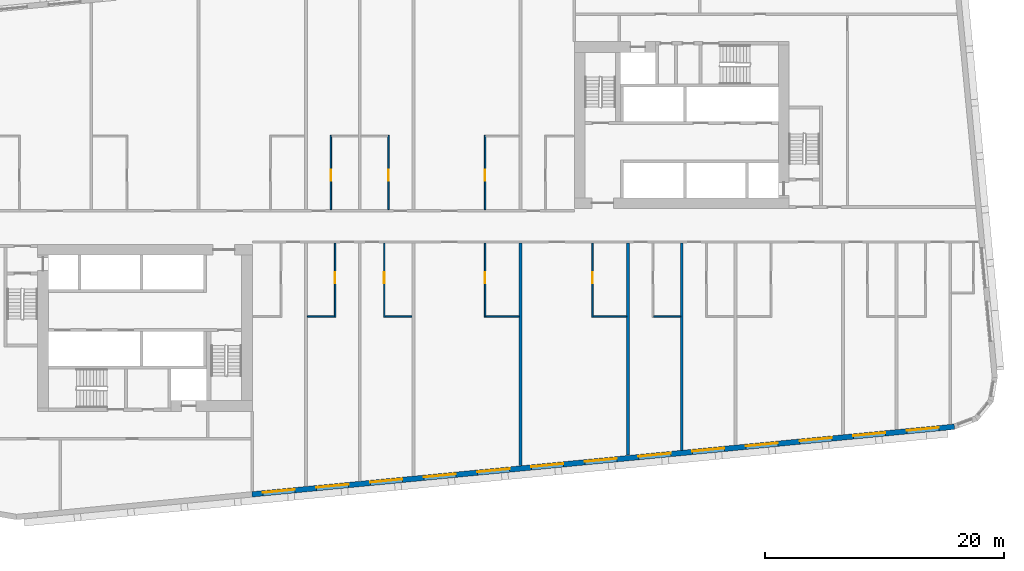
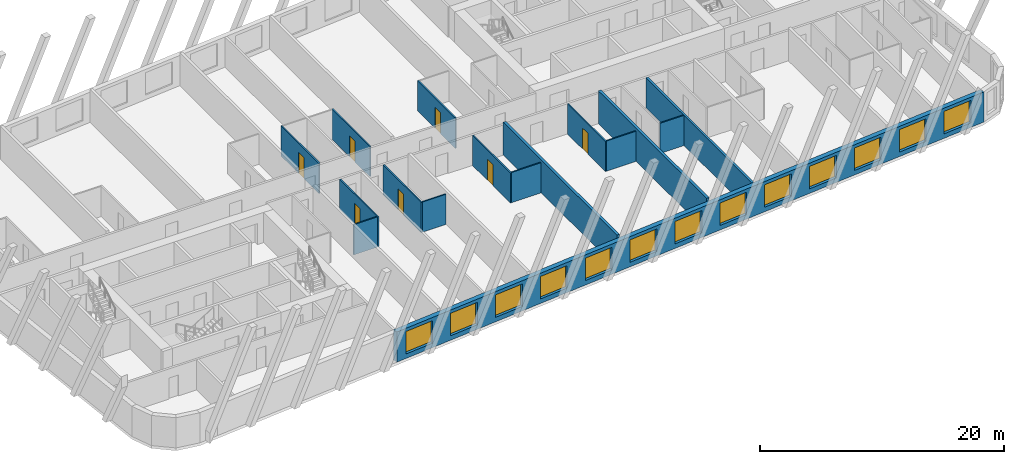
# One storey, part 4 of 13: 16 walls, 13 windows, 7 doors, 20 openings.
"""IFC4 building model written with IfcOpenShell, lengths in metres."""

from ifc_helpers import new_model, si_unit, direction, frame, frame_2d, origin, place, context, subcontext, project, spatial, rectangle, extrude, material, layer, layer_set, type_object, element, fill, save


model = new_model("IFC4")

# Units and contexts
model_context = context("Model", 3, precision=1e-05, world=origin(), true_north=direction((0.0, 1.0)))
body_context = subcontext(model_context, "Body", "Model", "MODEL_VIEW")
ifc_project = project(units=[si_unit("LENGTHUNIT", "METRE"), si_unit("AREAUNIT", "SQUARE_METRE"), si_unit("VOLUMEUNIT", "CUBIC_METRE"), si_unit("PLANEANGLEUNIT", "RADIAN"), si_unit("MASSUNIT", "GRAM", prefix="KILO")], contexts=[model_context])

# Site, building, storey
site_placement = place(None, origin())
site = spatial("IfcSite", under=ifc_project, at=site_placement, CompositionType="ELEMENT")
building_placement = place(site_placement, origin())
building = spatial("IfcBuilding", under=site, at=building_placement, Name="Kajstack Hotel Tower", CompositionType="ELEMENT")
storey_placement = place(building_placement, frame((0.0, 0.0, 140.5)))
storey = spatial("IfcBuildingStorey", under=building, at=storey_placement, Name="L32", CompositionType="ELEMENT", Elevation=140.5)

# Wall
ifc_material_1 = material(Name="Twin-frame gypsum board on steel studs, mineral wool", Category="steel")
ifc_layer_1 = layer(ifc_material_1, 0.199951171875)
ifc_layer_set_1 = layer_set([ifc_layer_1], Name="Demising wall 200")
wall_type_1 = type_object("IfcWallType", Name="Demising wall 200", PredefinedType="PARTITIONING", material=ifc_layer_set_1)
wall_1_placement = place(storey_placement, frame((22.5, -18.76611328125, 0.0), z_axis=(0.0, 0.0, 1.0), x_axis=(0.0, 1.0, 0.0)))
element("IfcWall", 1, at=wall_1_placement, inside=storey, type_object=wall_type_1, Name="G-wall-L32-033", PredefinedType="PARTITIONING", context=body_context, shape_type="SweptSolid", body=[
    extrude(rectangle(XDim=17.3662109375, YDim=0.199951171875, at=frame_2d((8.68310546875, 0.0))), origin(), (0.0, 0.0, 1.0), 3.02001953125),
])

# Wall, openings, windows
ifc_material_2 = material(Name="Terracotta-faced brick masonry", Category="masonry")
ifc_layer_2 = layer(ifc_material_2, 0.449951171875)
ifc_layer_set_2 = layer_set([ifc_layer_2], Name="EW-TERRA")
wall_type_2 = type_object("IfcWallType", Name="EW-TERRA", PredefinedType="SOLIDWALL", material=ifc_layer_set_2)
wall_2_placement = place(storey_placement, frame((-13.521484375, -22.46044921875, 0.0), z_axis=(0.0, 0.0, 1.0), x_axis=(0.995396096335, 0.095846812164, 0.0)))
wall_2 = element("IfcWall", 2, at=wall_2_placement, inside=storey, type_object=wall_type_2, Name="E-wall-L32-04-02", PredefinedType="SOLIDWALL", context=body_context, shape_type="SweptSolid", body=[
    extrude(rectangle(XDim=59.15087890625, YDim=0.449951171875, at=frame_2d((29.575439453125, 0.0))), origin(), (0.0, 0.0, 1.0), 3.02001953125),
])
opening_1_placement = place(wall_2_placement, frame((0.910400390625, 0.0, 0.449951171875)))
opening_1 = element("IfcOpeningElement", 3, at=opening_1_placement, cuts=wall_2, Name="Opening W1", PredefinedType="OPENING", context=body_context, shape_type="SweptSolid", body=[
    extrude(rectangle(XDim=2.699951171875, YDim=2.25, at=frame_2d((1.35009765625, 1.125))), frame((0.0, 0.23486328125, 0.0), z_axis=(0.0, -1.0, 0.0), x_axis=(1.0, 0.0, 0.0)), (0.0, 0.0, 1.0), 0.469970703125),
])
opening_2_placement = place(wall_2_placement, frame((5.43115234375, 0.0, 0.449951171875)))
opening_2 = element("IfcOpeningElement", 4, at=opening_2_placement, cuts=wall_2, Name="Opening W1", PredefinedType="OPENING", context=body_context, shape_type="SweptSolid", body=[
    extrude(rectangle(XDim=2.699951171875, YDim=2.25, at=frame_2d((1.35009765625, 1.125))), frame((0.0, 0.23486328125, 0.0), z_axis=(0.0, -1.0, 0.0), x_axis=(1.0, 0.0, 0.0)), (0.0, 0.0, 1.0), 0.469970703125),
])
opening_3_placement = place(wall_2_placement, frame((9.951904296875, 0.0, 0.449951171875)))
opening_3 = element("IfcOpeningElement", 5, at=opening_3_placement, cuts=wall_2, Name="Opening W1", PredefinedType="OPENING", context=body_context, shape_type="SweptSolid", body=[
    extrude(rectangle(XDim=2.699951171875, YDim=2.25, at=frame_2d((1.35009765625, 1.125))), frame((0.0, 0.23486328125, 0.0), z_axis=(0.0, -1.0, 0.0), x_axis=(1.0, 0.0, 0.0)), (0.0, 0.0, 1.0), 0.469970703125),
])
opening_4_placement = place(wall_2_placement, frame((14.472900390625, 0.0, 0.449951171875)))
opening_4 = element("IfcOpeningElement", 6, at=opening_4_placement, cuts=wall_2, Name="Opening W1", PredefinedType="OPENING", context=body_context, shape_type="SweptSolid", body=[
    extrude(rectangle(XDim=2.699951171875, YDim=2.25, at=frame_2d((1.35009765625, 1.125))), frame((0.0, 0.23486328125, 0.0), z_axis=(0.0, -1.0, 0.0), x_axis=(1.0, 0.0, 0.0)), (0.0, 0.0, 1.0), 0.469970703125),
])
opening_5_placement = place(wall_2_placement, frame((18.99365234375, 0.0, 0.449951171875)))
opening_5 = element("IfcOpeningElement", 7, at=opening_5_placement, cuts=wall_2, Name="Opening W1", PredefinedType="OPENING", context=body_context, shape_type="SweptSolid", body=[
    extrude(rectangle(XDim=2.699951171875, YDim=2.25, at=frame_2d((1.35009765625, 1.125))), frame((0.0, 0.23486328125, 0.0), z_axis=(0.0, -1.0, 0.0), x_axis=(1.0, 0.0, 0.0)), (0.0, 0.0, 1.0), 0.469970703125),
])
opening_6_placement = place(wall_2_placement, frame((23.514404296875, 0.0, 0.449951171875)))
opening_6 = element("IfcOpeningElement", 8, at=opening_6_placement, cuts=wall_2, Name="Opening W1", PredefinedType="OPENING", context=body_context, shape_type="SweptSolid", body=[
    extrude(rectangle(XDim=2.699951171875, YDim=2.25, at=frame_2d((1.35009765625, 1.125))), frame((0.0, 0.23486328125, 0.0), z_axis=(0.0, -1.0, 0.0), x_axis=(1.0, 0.0, 0.0)), (0.0, 0.0, 1.0), 0.469970703125),
])
opening_7_placement = place(wall_2_placement, frame((28.035400390625, 0.0, 0.449951171875)))
opening_7 = element("IfcOpeningElement", 9, at=opening_7_placement, cuts=wall_2, Name="Opening W1", PredefinedType="OPENING", context=body_context, shape_type="SweptSolid", body=[
    extrude(rectangle(XDim=2.699951171875, YDim=2.25, at=frame_2d((1.35009765625, 1.125))), frame((0.0, 0.23486328125, 0.0), z_axis=(0.0, -1.0, 0.0), x_axis=(1.0, 0.0, 0.0)), (0.0, 0.0, 1.0), 0.469970703125),
])
opening_8_placement = place(wall_2_placement, frame((32.55615234375, 0.0, 0.449951171875)))
opening_8 = element("IfcOpeningElement", 10, at=opening_8_placement, cuts=wall_2, Name="Opening W1", PredefinedType="OPENING", context=body_context, shape_type="SweptSolid", body=[
    extrude(rectangle(XDim=2.699951171875, YDim=2.25, at=frame_2d((1.35009765625, 1.125))), frame((0.0, 0.23486328125, 0.0), z_axis=(0.0, -1.0, 0.0), x_axis=(1.0, 0.0, 0.0)), (0.0, 0.0, 1.0), 0.469970703125),
])
opening_9_placement = place(wall_2_placement, frame((37.076904296875, 0.0, 0.449951171875)))
opening_9 = element("IfcOpeningElement", 11, at=opening_9_placement, cuts=wall_2, Name="Opening W1", PredefinedType="OPENING", context=body_context, shape_type="SweptSolid", body=[
    extrude(rectangle(XDim=2.699951171875, YDim=2.25, at=frame_2d((1.35009765625, 1.125))), frame((0.0, 0.23486328125, 0.0), z_axis=(0.0, -1.0, 0.0), x_axis=(1.0, 0.0, 0.0)), (0.0, 0.0, 1.0), 0.469970703125),
])
opening_10_placement = place(wall_2_placement, frame((41.59765625, 0.0, 0.449951171875)))
opening_10 = element("IfcOpeningElement", 12, at=opening_10_placement, cuts=wall_2, Name="Opening W1", PredefinedType="OPENING", context=body_context, shape_type="SweptSolid", body=[
    extrude(rectangle(XDim=2.699951171875, YDim=2.25, at=frame_2d((1.35009765625, 1.125))), frame((0.0, 0.23486328125, 0.0), z_axis=(0.0, -1.0, 0.0), x_axis=(1.0, 0.0, 0.0)), (0.0, 0.0, 1.0), 0.469970703125),
])
opening_11_placement = place(wall_2_placement, frame((46.118408203125, 0.0, 0.449951171875)))
opening_11 = element("IfcOpeningElement", 13, at=opening_11_placement, cuts=wall_2, Name="Opening W1", PredefinedType="OPENING", context=body_context, shape_type="SweptSolid", body=[
    extrude(rectangle(XDim=2.699951171875, YDim=2.25, at=frame_2d((1.35009765625, 1.125))), frame((0.0, 0.23486328125, 0.0), z_axis=(0.0, -1.0, 0.0), x_axis=(1.0, 0.0, 0.0)), (0.0, 0.0, 1.0), 0.469970703125),
])
opening_12_placement = place(wall_2_placement, frame((50.639404296875, 0.0, 0.449951171875)))
opening_12 = element("IfcOpeningElement", 14, at=opening_12_placement, cuts=wall_2, Name="Opening W1", PredefinedType="OPENING", context=body_context, shape_type="SweptSolid", body=[
    extrude(rectangle(XDim=2.699951171875, YDim=2.25, at=frame_2d((1.35009765625, 1.125))), frame((0.0, 0.23486328125, 0.0), z_axis=(0.0, -1.0, 0.0), x_axis=(1.0, 0.0, 0.0)), (0.0, 0.0, 1.0), 0.469970703125),
])
opening_13_placement = place(wall_2_placement, frame((55.149658203125, 0.0, 0.449951171875)))
opening_13 = element("IfcOpeningElement", 15, at=opening_13_placement, cuts=wall_2, Name="Opening W1", PredefinedType="OPENING", context=body_context, shape_type="SweptSolid", body=[
    extrude(rectangle(XDim=2.699951171875, YDim=2.25, at=frame_2d((1.35009765625, 1.125))), frame((0.0, 0.23486328125, 0.0), z_axis=(0.0, -1.0, 0.0), x_axis=(1.0, 0.0, 0.0)), (0.0, 0.0, 1.0), 0.469970703125),
])
ifc_material_3 = material(Name="Timber-aluminium window, triple glazed", Category="wood")
window_type = type_object("IfcWindowType", Name="WG1", PartitioningType="SINGLE_PANEL", PredefinedType="WINDOW", material=ifc_material_3)
window_1_placement = place(opening_1_placement, origin())
window_1 = element("IfcWindow", 16, at=window_1_placement, inside=storey, type_object=window_type, Name="Window W1 L32-04", OverallHeight=2.25, OverallWidth=2.699951171875, PartitioningType="SINGLE_PANEL", PredefinedType="WINDOW", context=body_context, shape_type="SweptSolid", body=[
    extrude(rectangle(XDim=2.699951171875, YDim=2.25, at=frame_2d((1.35009765625, 1.125))), frame((0.0, 0.090087890625, 0.0), z_axis=(0.0, -1.0, 0.0), x_axis=(1.0, 0.0, 0.0)), (0.0, 0.0, 1.0), 0.06005859375),
])
fill(opening_1, window_1)
window_2_placement = place(opening_2_placement, origin())
window_2 = element("IfcWindow", 17, at=window_2_placement, inside=storey, type_object=window_type, Name="Window W1 L32-04", OverallHeight=2.25, OverallWidth=2.699951171875, PartitioningType="SINGLE_PANEL", PredefinedType="WINDOW", context=body_context, shape_type="SweptSolid", body=[
    extrude(rectangle(XDim=2.699951171875, YDim=2.25, at=frame_2d((1.35009765625, 1.125))), frame((0.0, 0.090087890625, 0.0), z_axis=(0.0, -1.0, 0.0), x_axis=(1.0, 0.0, 0.0)), (0.0, 0.0, 1.0), 0.06005859375),
])
fill(opening_2, window_2)
window_3_placement = place(opening_3_placement, origin())
window_3 = element("IfcWindow", 18, at=window_3_placement, inside=storey, type_object=window_type, Name="Window W1 L32-04", OverallHeight=2.25, OverallWidth=2.699951171875, PartitioningType="SINGLE_PANEL", PredefinedType="WINDOW", context=body_context, shape_type="SweptSolid", body=[
    extrude(rectangle(XDim=2.699951171875, YDim=2.25, at=frame_2d((1.35009765625, 1.125))), frame((0.0, 0.090087890625, 0.0), z_axis=(0.0, -1.0, 0.0), x_axis=(1.0, 0.0, 0.0)), (0.0, 0.0, 1.0), 0.06005859375),
])
fill(opening_3, window_3)
window_4_placement = place(opening_4_placement, origin())
window_4 = element("IfcWindow", 19, at=window_4_placement, inside=storey, type_object=window_type, Name="Window W1 L32-04", OverallHeight=2.25, OverallWidth=2.699951171875, PartitioningType="SINGLE_PANEL", PredefinedType="WINDOW", context=body_context, shape_type="SweptSolid", body=[
    extrude(rectangle(XDim=2.699951171875, YDim=2.25, at=frame_2d((1.35009765625, 1.125))), frame((0.0, 0.090087890625, 0.0), z_axis=(0.0, -1.0, 0.0), x_axis=(1.0, 0.0, 0.0)), (0.0, 0.0, 1.0), 0.06005859375),
])
fill(opening_4, window_4)
window_5_placement = place(opening_5_placement, origin())
window_5 = element("IfcWindow", 20, at=window_5_placement, inside=storey, type_object=window_type, Name="Window W1 L32-04", OverallHeight=2.25, OverallWidth=2.699951171875, PartitioningType="SINGLE_PANEL", PredefinedType="WINDOW", context=body_context, shape_type="SweptSolid", body=[
    extrude(rectangle(XDim=2.699951171875, YDim=2.25, at=frame_2d((1.35009765625, 1.125))), frame((0.0, 0.090087890625, 0.0), z_axis=(0.0, -1.0, 0.0), x_axis=(1.0, 0.0, 0.0)), (0.0, 0.0, 1.0), 0.06005859375),
])
fill(opening_5, window_5)
window_6_placement = place(opening_6_placement, origin())
window_6 = element("IfcWindow", 21, at=window_6_placement, inside=storey, type_object=window_type, Name="Window W1 L32-04", OverallHeight=2.25, OverallWidth=2.699951171875, PartitioningType="SINGLE_PANEL", PredefinedType="WINDOW", context=body_context, shape_type="SweptSolid", body=[
    extrude(rectangle(XDim=2.699951171875, YDim=2.25, at=frame_2d((1.35009765625, 1.125))), frame((0.0, 0.090087890625, 0.0), z_axis=(0.0, -1.0, 0.0), x_axis=(1.0, 0.0, 0.0)), (0.0, 0.0, 1.0), 0.06005859375),
])
fill(opening_6, window_6)
window_7_placement = place(opening_7_placement, origin())
window_7 = element("IfcWindow", 22, at=window_7_placement, inside=storey, type_object=window_type, Name="Window W1 L32-04", OverallHeight=2.25, OverallWidth=2.699951171875, PartitioningType="SINGLE_PANEL", PredefinedType="WINDOW", context=body_context, shape_type="SweptSolid", body=[
    extrude(rectangle(XDim=2.699951171875, YDim=2.25, at=frame_2d((1.35009765625, 1.125))), frame((0.0, 0.090087890625, 0.0), z_axis=(0.0, -1.0, 0.0), x_axis=(1.0, 0.0, 0.0)), (0.0, 0.0, 1.0), 0.06005859375),
])
fill(opening_7, window_7)
window_8_placement = place(opening_8_placement, origin())
window_8 = element("IfcWindow", 23, at=window_8_placement, inside=storey, type_object=window_type, Name="Window W1 L32-04", OverallHeight=2.25, OverallWidth=2.699951171875, PartitioningType="SINGLE_PANEL", PredefinedType="WINDOW", context=body_context, shape_type="SweptSolid", body=[
    extrude(rectangle(XDim=2.699951171875, YDim=2.25, at=frame_2d((1.35009765625, 1.125))), frame((0.0, 0.090087890625, 0.0), z_axis=(0.0, -1.0, 0.0), x_axis=(1.0, 0.0, 0.0)), (0.0, 0.0, 1.0), 0.06005859375),
])
fill(opening_8, window_8)
window_9_placement = place(opening_9_placement, origin())
window_9 = element("IfcWindow", 24, at=window_9_placement, inside=storey, type_object=window_type, Name="Window W1 L32-04", OverallHeight=2.25, OverallWidth=2.699951171875, PartitioningType="SINGLE_PANEL", PredefinedType="WINDOW", context=body_context, shape_type="SweptSolid", body=[
    extrude(rectangle(XDim=2.699951171875, YDim=2.25, at=frame_2d((1.35009765625, 1.125))), frame((0.0, 0.090087890625, 0.0), z_axis=(0.0, -1.0, 0.0), x_axis=(1.0, 0.0, 0.0)), (0.0, 0.0, 1.0), 0.06005859375),
])
fill(opening_9, window_9)
window_10_placement = place(opening_10_placement, origin())
window_10 = element("IfcWindow", 25, at=window_10_placement, inside=storey, type_object=window_type, Name="Window W1 L32-04", OverallHeight=2.25, OverallWidth=2.699951171875, PartitioningType="SINGLE_PANEL", PredefinedType="WINDOW", context=body_context, shape_type="SweptSolid", body=[
    extrude(rectangle(XDim=2.699951171875, YDim=2.25, at=frame_2d((1.35009765625, 1.125))), frame((0.0, 0.090087890625, 0.0), z_axis=(0.0, -1.0, 0.0), x_axis=(1.0, 0.0, 0.0)), (0.0, 0.0, 1.0), 0.06005859375),
])
fill(opening_10, window_10)
window_11_placement = place(opening_11_placement, origin())
window_11 = element("IfcWindow", 26, at=window_11_placement, inside=storey, type_object=window_type, Name="Window W1 L32-04", OverallHeight=2.25, OverallWidth=2.699951171875, PartitioningType="SINGLE_PANEL", PredefinedType="WINDOW", context=body_context, shape_type="SweptSolid", body=[
    extrude(rectangle(XDim=2.699951171875, YDim=2.25, at=frame_2d((1.35009765625, 1.125))), frame((0.0, 0.090087890625, 0.0), z_axis=(0.0, -1.0, 0.0), x_axis=(1.0, 0.0, 0.0)), (0.0, 0.0, 1.0), 0.06005859375),
])
fill(opening_11, window_11)
window_12_placement = place(opening_12_placement, origin())
window_12 = element("IfcWindow", 27, at=window_12_placement, inside=storey, type_object=window_type, Name="Window W1 L32-04", OverallHeight=2.25, OverallWidth=2.699951171875, PartitioningType="SINGLE_PANEL", PredefinedType="WINDOW", context=body_context, shape_type="SweptSolid", body=[
    extrude(rectangle(XDim=2.699951171875, YDim=2.25, at=frame_2d((1.35009765625, 1.125))), frame((0.0, 0.090087890625, 0.0), z_axis=(0.0, -1.0, 0.0), x_axis=(1.0, 0.0, 0.0)), (0.0, 0.0, 1.0), 0.06005859375),
])
fill(opening_12, window_12)
window_13_placement = place(opening_13_placement, origin())
window_13 = element("IfcWindow", 28, at=window_13_placement, inside=storey, type_object=window_type, Name="Window W1 L32-04", OverallHeight=2.25, OverallWidth=2.699951171875, PartitioningType="SINGLE_PANEL", PredefinedType="WINDOW", context=body_context, shape_type="SweptSolid", body=[
    extrude(rectangle(XDim=2.699951171875, YDim=2.25, at=frame_2d((1.35009765625, 1.125))), frame((0.0, 0.090087890625, 0.0), z_axis=(0.0, -1.0, 0.0), x_axis=(1.0, 0.0, 0.0)), (0.0, 0.0, 1.0), 0.06005859375),
])
fill(opening_13, window_13)

# Wall, opening, door
ifc_material_4 = material(Name="Gypsum board and tiled backer on steel studs", Category="steel")
ifc_layer_3 = layer(ifc_material_4, 0.125)
ifc_layer_set_3 = layer_set([ifc_layer_3], Name="En-suite wall 125")
wall_type_3 = type_object("IfcWallType", Name="En-suite wall 125", PredefinedType="PARTITIONING", material=ifc_layer_set_3)
wall_3_placement = place(storey_placement, frame((-6.912109375, 1.39990234375, 0.0), z_axis=(0.0, 0.0, 1.0), x_axis=(0.0, 1.0, 0.0)))
wall_3 = element("IfcWall", 29, at=wall_3_placement, inside=storey, type_object=wall_type_3, Name="G-wall-L32-013", PredefinedType="PARTITIONING", context=body_context, shape_type="SweptSolid", body=[
    extrude(rectangle(XDim=6.22509765625, YDim=0.125, at=frame_2d((3.112548828125, 0.0))), origin(), (0.0, 0.0, 1.0), 3.02001953125),
])
opening_14_placement = place(wall_3_placement, frame((2.449951171875, 0.0, 0.0)))
opening_14 = element("IfcOpeningElement", 30, at=opening_14_placement, cuts=wall_3, Name="Opening 32010", PredefinedType="OPENING", context=body_context, shape_type="SweptSolid", body=[
    extrude(rectangle(XDim=0.89990234375, YDim=2.10009765625, at=frame_2d((0.449951171875, 1.050048828125))), frame((0.0, 0.072509765625, 0.0), z_axis=(0.0, -1.0, 0.0), x_axis=(1.0, 0.0, 0.0)), (0.0, 0.0, 1.0), 0.14501953125),
])
ifc_material_5 = material(Name="Painted timber door leaf", Category="wood")
door_type = type_object("IfcDoorType", Name="Room door 900", OperationType="SINGLE_SWING_LEFT", PredefinedType="DOOR", material=ifc_material_5)
door_1_placement = place(opening_14_placement, origin())
door_1 = element("IfcDoor", 31, at=door_1_placement, inside=storey, type_object=door_type, Name="G-door-L32-10", OperationType="SINGLE_SWING_RIGHT", OverallHeight=2.10009765625, OverallWidth=0.89990234375, PredefinedType="DOOR", context=body_context, shape_type="SweptSolid", body=[
    extrude(rectangle(XDim=0.89990234375, YDim=2.10009765625, at=frame_2d((0.449951171875, 1.050048828125))), frame((0.0, 0.02490234375, 0.0), z_axis=(0.0, -1.0, 0.0), x_axis=(1.0, 0.0, 0.0)), (0.0, 0.0, 1.0), 0.050048828125),
])
fill(opening_14, door_1)

wall_4_placement = place(storey_placement, frame((-2.0869140625, 1.39990234375, 0.0), z_axis=(0.0, 0.0, 1.0), x_axis=(0.0, 1.0, 0.0)))
wall_4 = element("IfcWall", 32, at=wall_4_placement, inside=storey, type_object=wall_type_3, Name="G-wall-L32-015", PredefinedType="PARTITIONING", context=body_context, shape_type="SweptSolid", body=[
    extrude(rectangle(XDim=6.22509765625, YDim=0.125, at=frame_2d((3.112548828125, 0.0))), origin(), (0.0, 0.0, 1.0), 3.02001953125),
])
opening_15_placement = place(wall_4_placement, frame((2.449951171875, 0.0, 0.0)))
opening_15 = element("IfcOpeningElement", 33, at=opening_15_placement, cuts=wall_4, Name="Opening 32012", PredefinedType="OPENING", context=body_context, shape_type="SweptSolid", body=[
    extrude(rectangle(XDim=0.89990234375, YDim=2.10009765625, at=frame_2d((0.449951171875, 1.050048828125))), frame((0.0, 0.072509765625, 0.0), z_axis=(0.0, -1.0, 0.0), x_axis=(1.0, 0.0, 0.0)), (0.0, 0.0, 1.0), 0.14501953125),
])
door_2_placement = place(opening_15_placement, origin())
door_2 = element("IfcDoor", 34, at=door_2_placement, inside=storey, type_object=door_type, Name="G-door-L32-12", OperationType="SINGLE_SWING_LEFT", OverallHeight=2.10009765625, OverallWidth=0.89990234375, PredefinedType="DOOR", context=body_context, shape_type="SweptSolid", body=[
    extrude(rectangle(XDim=0.89990234375, YDim=2.10009765625, at=frame_2d((0.449951171875, 1.050048828125))), frame((0.0, 0.02490234375, 0.0), z_axis=(0.0, -1.0, 0.0), x_axis=(1.0, 0.0, 0.0)), (0.0, 0.0, 1.0), 0.050048828125),
])
fill(opening_15, door_2)

wall_5_placement = place(storey_placement, frame((6.012939453125, 1.39990234375, 0.0), z_axis=(0.0, 0.0, 1.0), x_axis=(0.0, 1.0, 0.0)))
wall_5 = element("IfcWall", 35, at=wall_5_placement, inside=storey, type_object=wall_type_3, Name="G-wall-L32-017", PredefinedType="PARTITIONING", context=body_context, shape_type="SweptSolid", body=[
    extrude(rectangle(XDim=6.22509765625, YDim=0.125, at=frame_2d((3.112548828125, 0.0))), origin(), (0.0, 0.0, 1.0), 3.02001953125),
])
opening_16_placement = place(wall_5_placement, frame((2.449951171875, 0.0, 0.0)))
opening_16 = element("IfcOpeningElement", 36, at=opening_16_placement, cuts=wall_5, Name="Opening 32014", PredefinedType="OPENING", context=body_context, shape_type="SweptSolid", body=[
    extrude(rectangle(XDim=0.89990234375, YDim=2.10009765625, at=frame_2d((0.449951171875, 1.050048828125))), frame((0.0, 0.072509765625, 0.0), z_axis=(0.0, -1.0, 0.0), x_axis=(1.0, 0.0, 0.0)), (0.0, 0.0, 1.0), 0.14501953125),
])
door_3_placement = place(opening_16_placement, origin())
door_3 = element("IfcDoor", 37, at=door_3_placement, inside=storey, type_object=door_type, Name="G-door-L32-14", OperationType="SINGLE_SWING_RIGHT", OverallHeight=2.10009765625, OverallWidth=0.89990234375, PredefinedType="DOOR", context=body_context, shape_type="SweptSolid", body=[
    extrude(rectangle(XDim=0.89990234375, YDim=2.10009765625, at=frame_2d((0.449951171875, 1.050048828125))), frame((0.0, 0.02490234375, 0.0), z_axis=(0.0, -1.0, 0.0), x_axis=(1.0, 0.0, 0.0)), (0.0, 0.0, 1.0), 0.050048828125),
])
fill(opening_16, door_3)

wall_6_placement = place(storey_placement, frame((-6.56201171875, -7.625, 0.0), z_axis=(0.0, 0.0, 1.0), x_axis=(0.0, 1.0, 0.0)))
wall_6 = element("IfcWall", 38, at=wall_6_placement, inside=storey, type_object=wall_type_3, Name="G-wall-L32-025", PredefinedType="PARTITIONING", context=body_context, shape_type="SweptSolid", body=[
    extrude(rectangle(XDim=6.22509765625, YDim=0.125, at=frame_2d((3.112548828125, 0.0))), origin(), (0.0, 0.0, 1.0), 3.02001953125),
])
opening_17_placement = place(wall_6_placement, frame((2.875, 0.0, 0.0)))
opening_17 = element("IfcOpeningElement", 39, at=opening_17_placement, cuts=wall_6, Name="Opening 32020", PredefinedType="OPENING", context=body_context, shape_type="SweptSolid", body=[
    extrude(rectangle(XDim=0.89990234375, YDim=2.10009765625, at=frame_2d((0.449951171875, 1.050048828125))), frame((0.0, 0.072509765625, 0.0), z_axis=(0.0, -1.0, 0.0), x_axis=(1.0, 0.0, 0.0)), (0.0, 0.0, 1.0), 0.14501953125),
])
door_4_placement = place(opening_17_placement, origin())
door_4 = element("IfcDoor", 40, at=door_4_placement, inside=storey, type_object=door_type, Name="G-door-L32-20", OperationType="SINGLE_SWING_RIGHT", OverallHeight=2.10009765625, OverallWidth=0.89990234375, PredefinedType="DOOR", context=body_context, shape_type="SweptSolid", body=[
    extrude(rectangle(XDim=0.89990234375, YDim=2.10009765625, at=frame_2d((0.449951171875, 1.050048828125))), frame((0.0, 0.02490234375, 0.0), z_axis=(0.0, -1.0, 0.0), x_axis=(1.0, 0.0, 0.0)), (0.0, 0.0, 1.0), 0.050048828125),
])
fill(opening_17, door_4)

# Wall
wall_7_placement = place(storey_placement, frame((-8.875, -7.56201171875, 0.0), z_axis=(0.0, 0.0, 1.0), x_axis=(1.0, 0.0, 0.0)))
element("IfcWall", 41, at=wall_7_placement, inside=storey, type_object=wall_type_3, Name="G-wall-L32-026", PredefinedType="PARTITIONING", context=body_context, shape_type="SweptSolid", body=[
    extrude(rectangle(XDim=2.25, YDim=0.125, at=frame_2d((1.125, 0.0))), origin(), (0.0, 0.0, 1.0), 3.02001953125),
])

# Wall, opening, door
wall_8_placement = place(storey_placement, frame((-2.43798828125, -7.625, 0.0), z_axis=(0.0, 0.0, 1.0), x_axis=(0.0, 1.0, 0.0)))
wall_8 = element("IfcWall", 42, at=wall_8_placement, inside=storey, type_object=wall_type_3, Name="G-wall-L32-027", PredefinedType="PARTITIONING", context=body_context, shape_type="SweptSolid", body=[
    extrude(rectangle(XDim=6.22509765625, YDim=0.125, at=frame_2d((3.112548828125, 0.0))), origin(), (0.0, 0.0, 1.0), 3.02001953125),
])
opening_18_placement = place(wall_8_placement, frame((2.875, 0.0, 0.0)))
opening_18 = element("IfcOpeningElement", 43, at=opening_18_placement, cuts=wall_8, Name="Opening 32022", PredefinedType="OPENING", context=body_context, shape_type="SweptSolid", body=[
    extrude(rectangle(XDim=0.89990234375, YDim=2.10009765625, at=frame_2d((0.449951171875, 1.050048828125))), frame((0.0, 0.072509765625, 0.0), z_axis=(0.0, -1.0, 0.0), x_axis=(1.0, 0.0, 0.0)), (0.0, 0.0, 1.0), 0.14501953125),
])
door_5_placement = place(opening_18_placement, origin())
door_5 = element("IfcDoor", 44, at=door_5_placement, inside=storey, type_object=door_type, Name="G-door-L32-22", OperationType="SINGLE_SWING_RIGHT", OverallHeight=2.10009765625, OverallWidth=0.89990234375, PredefinedType="DOOR", context=body_context, shape_type="SweptSolid", body=[
    extrude(rectangle(XDim=0.89990234375, YDim=2.10009765625, at=frame_2d((0.449951171875, 1.050048828125))), frame((0.0, 0.02490234375, 0.0), z_axis=(0.0, -1.0, 0.0), x_axis=(1.0, 0.0, 0.0)), (0.0, 0.0, 1.0), 0.050048828125),
])
fill(opening_18, door_5)

# Wall
wall_9_placement = place(storey_placement, frame((-2.375, -7.56201171875, 0.0), z_axis=(0.0, 0.0, 1.0), x_axis=(1.0, 0.0, 0.0)))
element("IfcWall", 45, at=wall_9_placement, inside=storey, type_object=wall_type_3, Name="G-wall-L32-028", PredefinedType="PARTITIONING", context=body_context, shape_type="SweptSolid", body=[
    extrude(rectangle(XDim=2.25, YDim=0.125, at=frame_2d((1.125, 0.0))), origin(), (0.0, 0.0, 1.0), 3.02001953125),
])

# Wall, opening, door
wall_10_placement = place(storey_placement, frame((6.012939453125, -7.625, 0.0), z_axis=(0.0, 0.0, 1.0), x_axis=(0.0, 1.0, 0.0)))
wall_10 = element("IfcWall", 46, at=wall_10_placement, inside=storey, type_object=wall_type_3, Name="G-wall-L32-029", PredefinedType="PARTITIONING", context=body_context, shape_type="SweptSolid", body=[
    extrude(rectangle(XDim=6.22509765625, YDim=0.125, at=frame_2d((3.112548828125, 0.0))), origin(), (0.0, 0.0, 1.0), 3.02001953125),
])
opening_19_placement = place(wall_10_placement, frame((2.875, 0.0, 0.0)))
opening_19 = element("IfcOpeningElement", 47, at=opening_19_placement, cuts=wall_10, Name="Opening 32024", PredefinedType="OPENING", context=body_context, shape_type="SweptSolid", body=[
    extrude(rectangle(XDim=0.89990234375, YDim=2.10009765625, at=frame_2d((0.449951171875, 1.050048828125))), frame((0.0, 0.072509765625, 0.0), z_axis=(0.0, -1.0, 0.0), x_axis=(1.0, 0.0, 0.0)), (0.0, 0.0, 1.0), 0.14501953125),
])
door_6_placement = place(opening_19_placement, origin())
door_6 = element("IfcDoor", 48, at=door_6_placement, inside=storey, type_object=door_type, Name="G-door-L32-24", OperationType="SINGLE_SWING_LEFT", OverallHeight=2.10009765625, OverallWidth=0.89990234375, PredefinedType="DOOR", context=body_context, shape_type="SweptSolid", body=[
    extrude(rectangle(XDim=0.89990234375, YDim=2.10009765625, at=frame_2d((0.449951171875, 1.050048828125))), frame((0.0, 0.02490234375, 0.0), z_axis=(0.0, -1.0, 0.0), x_axis=(1.0, 0.0, 0.0)), (0.0, 0.0, 1.0), 0.050048828125),
])
fill(opening_19, door_6)

# Wall
wall_11_placement = place(storey_placement, frame((6.074951171875, -7.56201171875, 0.0), z_axis=(0.0, 0.0, 1.0), x_axis=(1.0, 0.0, 0.0)))
element("IfcWall", 49, at=wall_11_placement, inside=storey, type_object=wall_type_3, Name="G-wall-L32-030", PredefinedType="PARTITIONING", context=body_context, shape_type="SweptSolid", body=[
    extrude(rectangle(XDim=2.800048828125, YDim=0.125, at=frame_2d((1.39990234375, 0.0))), origin(), (0.0, 0.0, 1.0), 3.02001953125),
])

# Wall, opening, door
wall_12_placement = place(storey_placement, frame((15.011962890625, -7.625, 0.0), z_axis=(0.0, 0.0, 1.0), x_axis=(0.0, 1.0, 0.0)))
wall_12 = element("IfcWall", 50, at=wall_12_placement, inside=storey, type_object=wall_type_3, Name="G-wall-L32-031", PredefinedType="PARTITIONING", context=body_context, shape_type="SweptSolid", body=[
    extrude(rectangle(XDim=6.22509765625, YDim=0.125, at=frame_2d((3.112548828125, 0.0))), origin(), (0.0, 0.0, 1.0), 3.02001953125),
])
opening_20_placement = place(wall_12_placement, frame((2.875, 0.0, 0.0)))
opening_20 = element("IfcOpeningElement", 51, at=opening_20_placement, cuts=wall_12, Name="Opening 32026", PredefinedType="OPENING", context=body_context, shape_type="SweptSolid", body=[
    extrude(rectangle(XDim=0.89990234375, YDim=2.10009765625, at=frame_2d((0.449951171875, 1.050048828125))), frame((0.0, 0.072509765625, 0.0), z_axis=(0.0, -1.0, 0.0), x_axis=(1.0, 0.0, 0.0)), (0.0, 0.0, 1.0), 0.14501953125),
])
door_7_placement = place(opening_20_placement, origin())
door_7 = element("IfcDoor", 52, at=door_7_placement, inside=storey, type_object=door_type, Name="G-door-L32-26", OperationType="SINGLE_SWING_RIGHT", OverallHeight=2.10009765625, OverallWidth=0.89990234375, PredefinedType="DOOR", context=body_context, shape_type="SweptSolid", body=[
    extrude(rectangle(XDim=0.89990234375, YDim=2.10009765625, at=frame_2d((0.449951171875, 1.050048828125))), frame((0.0, 0.02490234375, 0.0), z_axis=(0.0, -1.0, 0.0), x_axis=(1.0, 0.0, 0.0)), (0.0, 0.0, 1.0), 0.050048828125),
])
fill(opening_20, door_7)

# Walls
wall_13_placement = place(storey_placement, frame((15.074951171875, -7.56201171875, 0.0), z_axis=(0.0, 0.0, 1.0), x_axis=(1.0, 0.0, 0.0)))
element("IfcWall", 53, at=wall_13_placement, inside=storey, type_object=wall_type_3, Name="G-wall-L32-032", PredefinedType="PARTITIONING", context=body_context, shape_type="SweptSolid", body=[
    extrude(rectangle(XDim=2.800048828125, YDim=0.125, at=frame_2d((1.39990234375, 0.0))), origin(), (0.0, 0.0, 1.0), 3.02001953125),
])
wall_14_placement = place(storey_placement, frame((20.14990234375, -7.56201171875, 0.0), z_axis=(0.0, 0.0, 1.0), x_axis=(1.0, 0.0, 0.0)))
element("IfcWall", 54, at=wall_14_placement, inside=storey, type_object=wall_type_3, Name="G-wall-L32-035", PredefinedType="PARTITIONING", context=body_context, shape_type="SweptSolid", body=[
    extrude(rectangle(XDim=2.25, YDim=0.125, at=frame_2d((1.125, 0.0))), origin(), (0.0, 0.0, 1.0), 3.02001953125),
])
ifc_material_6 = material(Name="Concrete C55/67", Category="concrete")
ifc_layer_4 = layer(ifc_material_6, 0.25)
ifc_layer_set_4 = layer_set([ifc_layer_4], Name="RC cross wall 250 C55/67")
wall_type_4 = type_object("IfcWallType", Name="RC cross wall 250 C55/67", PredefinedType="SHEAR", material=ifc_layer_set_4)
wall_15_placement = place(storey_placement, frame((9.0, -20.043701171875, 0.0), z_axis=(0.0, 0.0, 1.0), x_axis=(0.0, 1.0, 0.0)))
element("IfcWall", 55, at=wall_15_placement, inside=storey, type_object=wall_type_4, Name="S-wall-L32-08", PredefinedType="SHEAR", context=body_context, shape_type="SweptSolid", body=[
    extrude(rectangle(XDim=18.643798828125, YDim=0.25, at=frame_2d((9.32177734375, 0.0))), origin(), (0.0, 0.0, 1.0), 3.300048828125),
])
wall_16_placement = place(storey_placement, frame((18.0, -19.17724609375, 0.0), z_axis=(0.0, 0.0, 1.0), x_axis=(0.0, 1.0, 0.0)))
element("IfcWall", 56, at=wall_16_placement, inside=storey, type_object=wall_type_4, Name="S-wall-L32-10", PredefinedType="SHEAR", context=body_context, shape_type="SweptSolid", body=[
    extrude(rectangle(XDim=17.77734375, YDim=0.25, at=frame_2d((8.888671875, 0.0))), origin(), (0.0, 0.0, 1.0), 3.300048828125),
])

save(model, "model.ifc")
